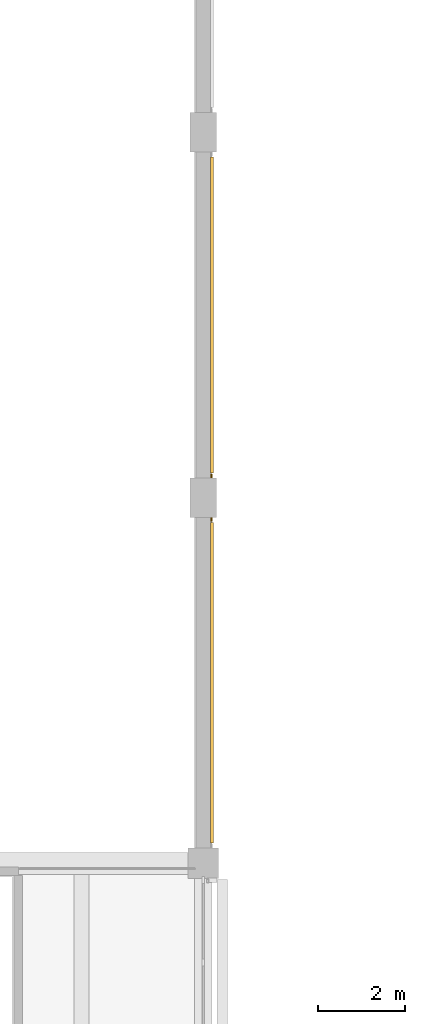
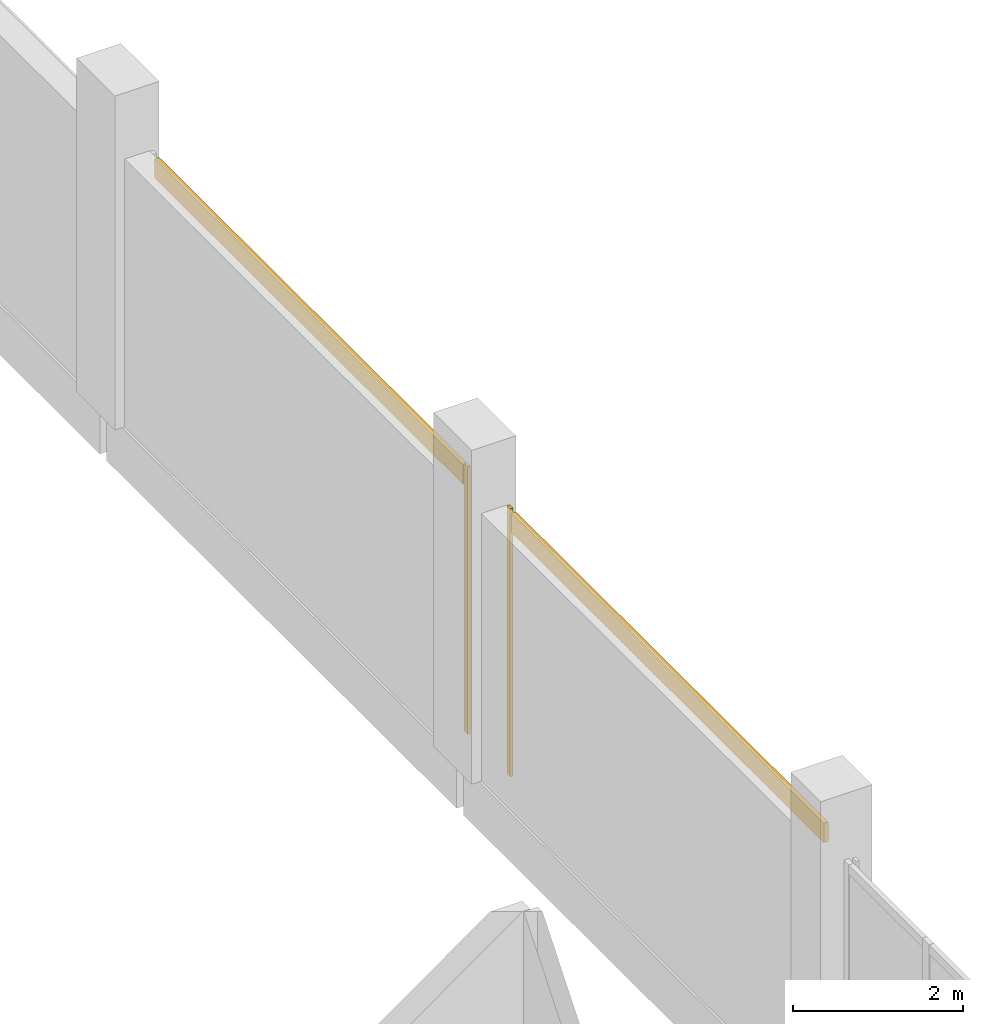
# One storey, part 125 of 128: 4 coverings.
"""IFC4 building model written with IfcOpenShell, lengths in metres."""

from ifc_helpers import new_model, si_unit, direction, frame, origin, origin_2d, place, context, subcontext, project, spatial, rectangle, extrude, material, layer, layer_set, type_object, element, save


model = new_model("IFC4")

# Units and contexts
model_context = context("Model", 3, precision=1e-05, world=origin(), true_north=direction((0.0, 1.0)))
body_context = subcontext(model_context, "Body", "Model", "MODEL_VIEW")
ifc_project = project(units=[si_unit("LENGTHUNIT", "METRE"), si_unit("AREAUNIT", "SQUARE_METRE"), si_unit("VOLUMEUNIT", "CUBIC_METRE"), si_unit("PLANEANGLEUNIT", "RADIAN"), si_unit("MASSUNIT", "GRAM", prefix="KILO")], contexts=[model_context])

# Site, building, storey
site_placement = place(None, origin())
site = spatial("IfcSite", under=ifc_project, at=site_placement, CompositionType="ELEMENT")
building_placement = place(site_placement, origin())
building = spatial("IfcBuilding", under=site, at=building_placement, Name="Telukmera Botanical Conservatory", CompositionType="ELEMENT")
storey_placement = place(building_placement, frame((0.0, 0.0, 5.39990234375)))
storey = spatial("IfcBuildingStorey", under=building, at=storey_placement, Name="L01", CompositionType="ELEMENT", Elevation=5.39990234375)

# Coverings
ifc_material_1 = material(Name="Granite-faced precast concrete C40/50", Category="masonry")
ifc_layer_1 = layer(ifc_material_1, 0.0400390625)
ifc_layer_set_1 = layer_set([ifc_layer_1], Name="Granite-faced precast concrete C40/50")
covering_type_1 = type_object("IfcCoveringType", Name="Granite Precast Column Pier Reveal Casing", PredefinedType="CLADDING", material=ifc_layer_set_1)
for number, where, z_axis, x_axis, name in (
    (1, (42.18994140625, 99.498046875, 0.0), (0.0, 0.0, 1.0), (0.0, 1.0, 0.0), "Granite Pier Reveal V2:L01:E2 R"),
    (2, (42.18994140625, 100.501953125, 0.0), (0.0, 0.0, 1.0), (0.0, 1.0, 0.0), "Granite Pier Reveal V2:L01:E3 L"),
):
    element("IfcCovering", number, at=place(storey_placement, frame(where, z_axis=z_axis, x_axis=x_axis)), inside=storey, type_object=covering_type_1, Name=name, PredefinedType="CLADDING", context=body_context, shape_type="SweptSolid", body=[
        extrude(rectangle(XDim=0.080078125, YDim=0.0400390625, at=origin_2d()), origin(), (0.0, 0.0, 1.0), 3.85009765625),
    ])
ifc_material_2 = material(Name="Terracotta-faced precast concrete C40/50", Category="masonry")
ifc_layer_2 = layer(ifc_material_2, 0.06005859375)
ifc_layer_set_2 = layer_set([ifc_layer_2], Name="Terracotta-faced precast concrete C40/50")
covering_type_2 = type_object("IfcCoveringType", Name="Polychrome Terracotta Facade Band Cladding", PredefinedType="CLADDING", material=ifc_layer_set_2)
covering_1_placement = place(storey_placement, frame((42.199951171875, 95.75, 3.5302734375), z_axis=(0.0, 0.0, 1.0), x_axis=(0.0, 1.0, 0.0)))
element("IfcCovering", 3, at=covering_1_placement, inside=storey, type_object=covering_type_2, Name="Polychrome Terracotta Band V2:L01:E2", PredefinedType="CLADDING", context=body_context, shape_type="SweptSolid", body=[
    extrude(rectangle(XDim=7.35595703125, YDim=0.06005859375, at=origin_2d()), origin(), (0.0, 0.0, 1.0), 0.280029296875),
])
covering_2_placement = place(storey_placement, frame((42.199951171875, 104.199951171875, 3.5302734375), z_axis=(0.0, 0.0, 1.0), x_axis=(0.0, 1.0, 0.0)))
element("IfcCovering", 4, at=covering_2_placement, inside=storey, type_object=covering_type_2, Name="Polychrome Terracotta Band V2:L01:E3", PredefinedType="CLADDING", context=body_context, shape_type="SweptSolid", body=[
    extrude(rectangle(XDim=7.256103515625, YDim=0.06005859375, at=origin_2d()), origin(), (0.0, 0.0, 1.0), 0.280029296875),
])

save(model, "model.ifc")
